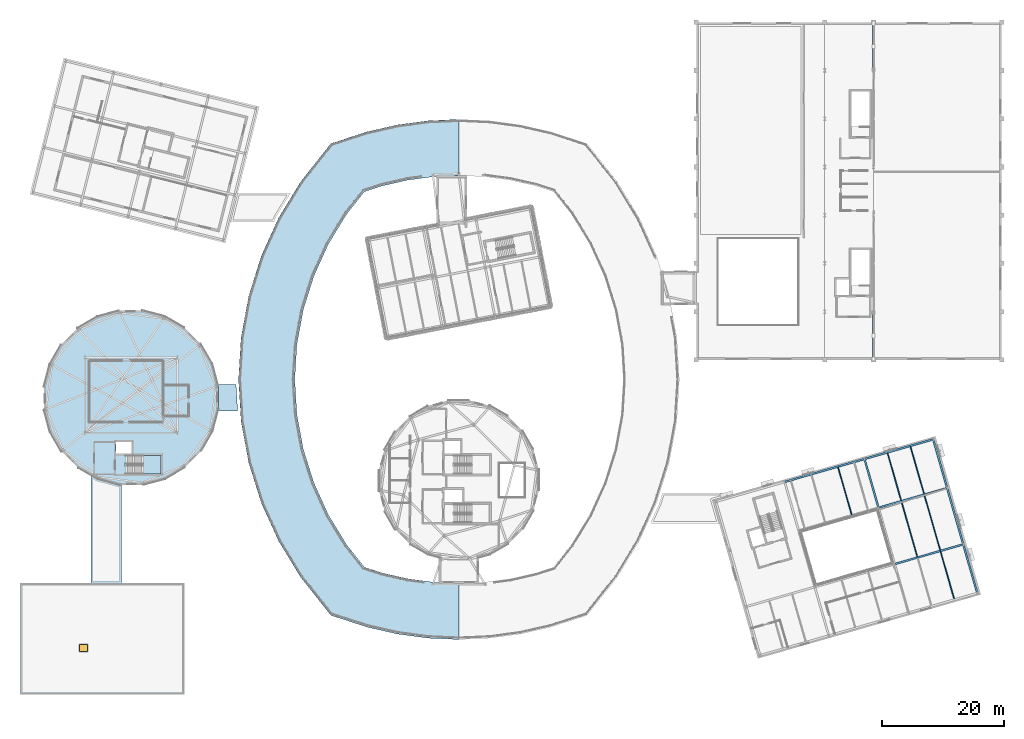
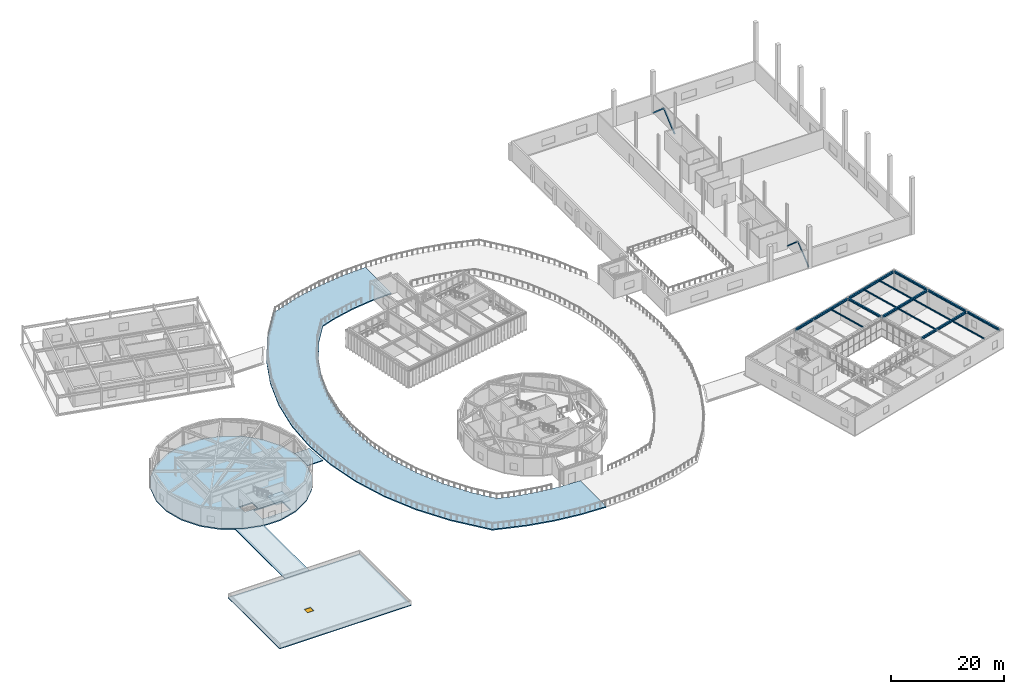
# One storey, part 26 of 59: 14 beams, 6 slabs, 4 members, 1 door, 1 opening, 1 element without a shape of its own.
"""IFC4 building model written with IfcOpenShell, lengths in metres."""

from ifc_helpers import new_model, si_unit, direction, frame, origin, origin_2d, place, context, subcontext, project, spatial, polyline, rectangle, hollow_rectangle, hollow_circle, i_section, outline, extrude, material, layer, layer_set, material_profile, profile_set, type_object, element, fill, aggregate, save


model = new_model("IFC4")

# Units and contexts
model_context = context("Model", 3, precision=1e-05, world=origin(), true_north=direction((0.0, 1.0)))
body_context = subcontext(model_context, "Body", "Model", "MODEL_VIEW")
ifc_project = project(units=[si_unit("LENGTHUNIT", "METRE"), si_unit("AREAUNIT", "SQUARE_METRE"), si_unit("VOLUMEUNIT", "CUBIC_METRE"), si_unit("PLANEANGLEUNIT", "RADIAN"), si_unit("MASSUNIT", "GRAM", prefix="KILO")], contexts=[model_context])

# Site, building, storey
site_placement = place(None, origin())
site = spatial("IfcSite", under=ifc_project, at=site_placement, CompositionType="ELEMENT")
building_placement = place(site_placement, origin())
building = spatial("IfcBuilding", under=site, at=building_placement, Name="Varnklinge Art Gallery", CompositionType="ELEMENT")
storey_placement = place(building_placement, frame((0.0, 0.0, 9.52001953125)))
storey = spatial("IfcBuildingStorey", under=building, at=storey_placement, Name="L02", CompositionType="ELEMENT", Elevation=9.52001953125)

# Beams
ifc_material_1 = material(Name="Steel S355", Category="steel")
ifc_material_profile_1 = material_profile(ifc_material_1, i_section(OverallWidth=0.300048828125, OverallDepth=0.489990234375, WebThickness=0.011962890625, FlangeThickness=0.02294921875, FilletRadius=0.027099609375, at=origin_2d()), Name="HEA 500")
ifc_profile_set_1 = profile_set([ifc_material_profile_1], Name="Steel S355")
beam_type_1 = type_object("IfcBeamType", Name="BM-07", PredefinedType="BEAM", material=ifc_profile_set_1)
for number, where, z_axis, x_axis, name in (
    (1, (146.994140625, 24.798828125, 3.675048828125), (0.961262939416, 0.275633019257, 0.0), (-0.275633019257, 0.961262939416, 0.0), "L02 BM-07 BM-V6-L03-U1-2"),
    (2, (144.34814453125, 34.027099609375, 3.675048828125), (0.961262939416, 0.275633019257, 0.0), (-0.275633019257, 0.961262939416, 0.0), "L02 BM-07 BM-V6-L03-U2-2"),
):
    element("IfcBeam", number, at=place(storey_placement, frame(where, z_axis=z_axis, x_axis=x_axis)), inside=storey, type_object=beam_type_1, Name=name, PredefinedType="BEAM", context=body_context, shape_type="SweptSolid", body=[
        extrude(i_section(OverallWidth=0.300048828125, OverallDepth=0.489990234375, WebThickness=0.011962890625, FlangeThickness=0.02294921875, FilletRadius=0.027099609375, at=origin_2d()), origin(), (0.0, 0.0, 1.0), 11.419921875),
    ])
beam_1_placement = place(storey_placement, frame((128.9873046875, 38.2568359375, 3.675048828125), z_axis=(0.961262060229, 0.275636085381, 0.0), x_axis=(-0.275636085381, 0.961262060229, 0.0)))
element("IfcBeam", 3, at=beam_1_placement, inside=storey, type_object=beam_type_1, Name="L02 BM-07 BM-V6-L03-U3-1", PredefinedType="BEAM", context=body_context, shape_type="SweptSolid", body=[
    extrude(i_section(OverallWidth=0.300048828125, OverallDepth=0.489990234375, WebThickness=0.011962890625, FlangeThickness=0.02294921875, FilletRadius=0.027099609375, at=origin_2d()), origin(), (0.0, 0.0, 1.0), 13.319580078125),
])
beam_2_placement = place(storey_placement, frame((142.060302734375, 42.005615234375, 3.675048828125), z_axis=(0.961262939416, 0.275633019257, 0.0), x_axis=(-0.275633019257, 0.961262939416, 0.0)))
element("IfcBeam", 4, at=beam_2_placement, inside=storey, type_object=beam_type_1, Name="L02 BM-07 BM-V6-L03-U3-2", PredefinedType="BEAM", context=body_context, shape_type="SweptSolid", body=[
    extrude(i_section(OverallWidth=0.300048828125, OverallDepth=0.489990234375, WebThickness=0.011962890625, FlangeThickness=0.02294921875, FilletRadius=0.027099609375, at=origin_2d()), origin(), (0.0, 0.0, 1.0), 11.419921875),
])
ifc_material_2 = material(Name="Steel S355", Category="steel")
ifc_material_profile_2 = material_profile(ifc_material_2, i_section(OverallWidth=0.300048828125, OverallDepth=0.43994140625, WebThickness=0.011474609375, FlangeThickness=0.02099609375, FilletRadius=0.027099609375, at=origin_2d()), Name="HEA 450")
ifc_profile_set_2 = profile_set([ifc_material_profile_2], Name="Steel S355")
beam_type_2 = type_object("IfcBeamType", Name="BM-08", PredefinedType="BEAM", material=ifc_profile_set_2)
beam_3_placement = place(storey_placement, frame((144.1748046875, 34.123046875, 3.699951171875), z_axis=(-0.275621630307, 0.961266205016, 0.0), x_axis=(-0.961266205016, -0.275621630307, 0.0)))
element("IfcBeam", 5, at=beam_3_placement, inside=storey, type_object=beam_type_2, Name="L02 BM-08 BM-V6-L03-V2-2", PredefinedType="BEAM", context=body_context, shape_type="SweptSolid", body=[
    extrude(i_section(OverallWidth=0.300048828125, OverallDepth=0.43994140625, WebThickness=0.011474609375, FlangeThickness=0.02099609375, FilletRadius=0.027099609375, at=origin_2d()), origin(), (0.0, 0.0, 1.0), 8.019775390625),
])
beam_4_placement = place(storey_placement, frame((160.355712890625, 20.141357421875, 3.699951171875), z_axis=(-0.275649759333, 0.961258139201, 0.0), x_axis=(-0.961258139201, -0.275649759333, 0.0)))
element("IfcBeam", 6, at=beam_4_placement, inside=storey, type_object=beam_type_2, Name="L02 BM-08 BM-V6-L03-V3-0", PredefinedType="BEAM", context=body_context, shape_type="SweptSolid", body=[
    extrude(i_section(OverallWidth=0.300048828125, OverallDepth=0.43994140625, WebThickness=0.011474609375, FlangeThickness=0.02099609375, FilletRadius=0.027099609375, at=origin_2d()), origin(), (0.0, 0.0, 1.0), 8.02001953125),
])
beam_5_placement = place(storey_placement, frame((158.06787109375, 28.119873046875, 3.699951171875), z_axis=(-0.275658609922, 0.961255601168, 0.0), x_axis=(-0.961255601168, -0.275658609922, 0.0)))
element("IfcBeam", 7, at=beam_5_placement, inside=storey, type_object=beam_type_2, Name="L02 BM-08 BM-V6-L03-V3-1", PredefinedType="BEAM", context=body_context, shape_type="SweptSolid", body=[
    extrude(i_section(OverallWidth=0.300048828125, OverallDepth=0.43994140625, WebThickness=0.011474609375, FlangeThickness=0.02099609375, FilletRadius=0.027099609375, at=origin_2d()), origin(), (0.0, 0.0, 1.0), 9.31982421875),
])
beam_6_placement = place(storey_placement, frame((155.421630859375, 37.347900390625, 3.699951171875), z_axis=(-0.275621630307, 0.961266205016, 0.0), x_axis=(-0.961266205016, -0.275621630307, 0.0)))
element("IfcBeam", 8, at=beam_6_placement, inside=storey, type_object=beam_type_2, Name="L02 BM-08 BM-V6-L03-V3-2", PredefinedType="BEAM", context=body_context, shape_type="SweptSolid", body=[
    extrude(i_section(OverallWidth=0.300048828125, OverallDepth=0.43994140625, WebThickness=0.011474609375, FlangeThickness=0.02099609375, FilletRadius=0.027099609375, at=origin_2d()), origin(), (0.0, 0.0, 1.0), 8.019775390625),
])

# Members
ifc_material_3 = material(Name="Steel S355", Category="steel")
ifc_material_profile_3 = material_profile(ifc_material_3, hollow_circle(Radius=0.136474609375, WallThickness=0.012451171875, at=origin_2d()), Name="CHS 273x12.5")
ifc_profile_set_3 = profile_set([ifc_material_profile_3], Name="Steel S355")
member_type_1 = type_object("IfcMemberType", Name="BRC-01", PredefinedType="BRACE", material=ifc_profile_set_3)
member_1_placement = place(storey_placement, frame((143.39990234375, 58.360107421875, 0.02001953125), z_axis=(0.0, 0.755141482685, 0.655561851489), x_axis=(-1.0, 0.0, 0.0)))
element("IfcMember", 9, at=member_1_placement, inside=storey, type_object=member_type_1, Name="L02 Braced Frame V1E-B0 Diagonal A", PredefinedType="BRACE", context=body_context, shape_type="SweptSolid", body=[
    extrude(hollow_circle(Radius=0.136474609375, WallThickness=0.012451171875, at=origin_2d()), origin(), (0.0, 0.0, 1.0), 5.0185546875),
])
member_2_placement = place(storey_placement, frame((143.39990234375, 65.93994140625, 0.02001953125), z_axis=(0.0, -0.75516238797, 0.655537769923), x_axis=(1.0, 0.0, 0.0)))
element("IfcMember", 10, at=member_2_placement, inside=storey, type_object=member_type_1, Name="L02 Braced Frame V1E-B0 Diagonal B", PredefinedType="BRACE", context=body_context, shape_type="SweptSolid", body=[
    extrude(hollow_circle(Radius=0.136474609375, WallThickness=0.012451171875, at=origin_2d()), origin(), (0.0, 0.0, 1.0), 5.018798828125),
])
ifc_material_4 = material(Name="Steel S355", Category="steel")
ifc_material_profile_4 = material_profile(ifc_material_4, hollow_rectangle(XDim=0.25, YDim=0.25, WallThickness=0.012451171875, at=origin_2d()), Name="SHS 250x250x12.5")
ifc_profile_set_4 = profile_set([ifc_material_profile_4], Name="Steel S355")
member_type_2 = type_object("IfcMemberType", Name="BRC-04", PredefinedType="BRACE", material=ifc_profile_set_4)
for number, where, z_axis, x_axis, name in (
    (11, (143.39990234375, 105.760009765625, 0.02001953125), (0.0, 0.75516238797, 0.655537769923), (-1.0, 0.0, 0.0), "L02 Braced Frame V1E-B6 Diagonal A"),
    (12, (143.39990234375, 113.340087890625, 0.02001953125), (0.0, -0.75516238797, 0.655537769923), (1.0, 0.0, 0.0), "L02 Braced Frame V1E-B6 Diagonal B"),
):
    element("IfcMember", number, at=place(storey_placement, frame(where, z_axis=z_axis, x_axis=x_axis)), inside=storey, type_object=member_type_2, Name=name, PredefinedType="BRACE", context=body_context, shape_type="SweptSolid", body=[
        extrude(hollow_rectangle(XDim=0.25, YDim=0.25, WallThickness=0.012451171875, at=origin_2d()), origin(), (0.0, 0.0, 1.0), 5.018798828125),
    ])

# Beams
ifc_material_5 = material(Name="Steel S355", Category="steel")
ifc_material_profile_5 = material_profile(ifc_material_5, i_section(OverallWidth=0.14990234375, OverallDepth=0.300048828125, WebThickness=0.007080078125, FlangeThickness=0.0107421875, FilletRadius=0.014892578125, at=origin_2d()), Name="IPE 300")
ifc_profile_set_5 = profile_set([ifc_material_profile_5], Name="Steel S355")
beam_type_3 = type_object("IfcBeamType", Name="JST-08", PredefinedType="JOIST", material=ifc_profile_set_5)
for number, where, z_axis, x_axis, name in (
    (13, (139.817138671875, 32.873291015625, 3.77001953125), (-0.275613565062, 0.961268517509, 0.0), (-0.961268517509, -0.275613565062, 0.0), "L02 JST-08 JST-V6-L03-1-2-2"),
    (14, (156.606689453125, 19.06640625, 3.77001953125), (-0.275649759333, 0.961258139201, 0.0), (-0.961258139201, -0.275649759333, 0.0), "L02 JST-08 JST-V6-L03-2-0-2"),
):
    element("IfcBeam", number, at=place(storey_placement, frame(where, z_axis=z_axis, x_axis=x_axis)), inside=storey, type_object=beam_type_3, Name=name, PredefinedType="JOIST", context=body_context, shape_type="SweptSolid", body=[
        extrude(i_section(OverallWidth=0.14990234375, OverallDepth=0.300048828125, WebThickness=0.007080078125, FlangeThickness=0.0107421875, FilletRadius=0.014892578125, at=origin_2d()), origin(), (0.0, 0.0, 1.0), 8.02001953125),
    ])
for number, where, z_axis, x_axis, name in (
    (15, (150.56982421875, 25.9697265625, 3.77001953125), (-0.27562746375, 0.961264532388, 0.0), (-0.961264532388, -0.27562746375, 0.0), "L02 JST-08 JST-V6-L03-2-1-1"),
    (16, (154.31884765625, 27.044921875, 3.77001953125), (-0.27562746375, 0.961264532388, 0.0), (-0.961264532388, -0.27562746375, 0.0), "L02 JST-08 JST-V6-L03-2-1-2"),
):
    element("IfcBeam", number, at=place(storey_placement, frame(where, z_axis=z_axis, x_axis=x_axis)), inside=storey, type_object=beam_type_3, Name=name, PredefinedType="JOIST", context=body_context, shape_type="SweptSolid", body=[
        extrude(i_section(OverallWidth=0.14990234375, OverallDepth=0.300048828125, WebThickness=0.007080078125, FlangeThickness=0.0107421875, FilletRadius=0.014892578125, at=origin_2d()), origin(), (0.0, 0.0, 1.0), 9.320068359375),
    ])
beam_7_placement = place(storey_placement, frame((147.923828125, 35.197998046875, 3.77001953125), z_axis=(-0.275649759333, 0.961258139201, 0.0), x_axis=(-0.961258139201, -0.275649759333, 0.0)))
element("IfcBeam", 17, at=beam_7_placement, inside=storey, type_object=beam_type_3, Name="L02 JST-08 JST-V6-L03-2-2-1", PredefinedType="JOIST", context=body_context, shape_type="SweptSolid", body=[
    extrude(i_section(OverallWidth=0.14990234375, OverallDepth=0.300048828125, WebThickness=0.007080078125, FlangeThickness=0.0107421875, FilletRadius=0.014892578125, at=origin_2d()), origin(), (0.0, 0.0, 1.0), 8.02001953125),
])
beam_8_placement = place(storey_placement, frame((151.6728515625, 36.27294921875, 3.77001953125), z_axis=(-0.2756416934, 0.961260452146, 0.0), x_axis=(-0.961260452146, -0.2756416934, 0.0)))
element("IfcBeam", 18, at=beam_8_placement, inside=storey, type_object=beam_type_3, Name="L02 JST-08 JST-V6-L03-2-2-2", PredefinedType="JOIST", context=body_context, shape_type="SweptSolid", body=[
    extrude(i_section(OverallWidth=0.14990234375, OverallDepth=0.300048828125, WebThickness=0.007080078125, FlangeThickness=0.0107421875, FilletRadius=0.014892578125, at=origin_2d()), origin(), (0.0, 0.0, 1.0), 8.020263671875),
])

# Slabs
ifc_material_6 = material(Name="Concrete C40/50", Category="concrete")
ifc_layer_1 = layer(ifc_material_6, 0.239990234375)
ifc_layer_set_1 = layer_set([ifc_layer_1], Name="Concrete C40/50")
slab_type_1 = type_object("IfcSlabType", Name="SLB-EXT24", PredefinedType="FLOOR", material=ifc_layer_set_1)
slab_1_placement = place(storey_placement, frame((0.0, 0.0, -0.239990234375)))
element("IfcSlab", 19, at=slab_1_placement, inside=storey, type_object=slab_type_1, Name="L02 Roof Sculpture Garden West Terrace", PredefinedType="FLOOR", context=body_context, shape_type="SweptSolid", body=[
    extrude(outline(polyline([(70.4384765625, 97.3779296875), (65.41748046875, 96.699462890625), (60.477294921875, 95.57470703125), (54.529296875, 93.647216796875), (49.56298828125, 87.375), (45.974609375, 81.494873046875), (43.126708984375, 75.22216796875), (41.06201171875, 68.650146484375), (39.810546875, 61.8759765625), (39.3916015625, 55.0), (39.810546875, 48.1240234375), (41.06201171875, 41.349853515625), (43.126708984375, 34.77783203125), (45.974609375, 28.505126953125), (49.56298828125, 22.625), (54.529296875, 16.352783203125), (60.477294921875, 14.42529296875), (65.41748046875, 13.300537109375), (70.4384765625, 12.6220703125), (75.5, 12.3955078125), (75.5, 21.6044921875), (71.261962890625, 21.79443359375), (67.057861328125, 22.362548828125), (62.92138671875, 23.30419921875), (60.013916015625, 24.246337890625), (57.1240234375, 27.896484375), (54.11962890625, 32.819091796875), (51.735595703125, 38.0703125), (50.0068359375, 43.572509765625), (48.95947265625, 49.24365234375), (48.6083984375, 55.0), (48.95947265625, 60.75634765625), (50.0068359375, 66.427490234375), (51.735595703125, 71.9296875), (54.11962890625, 77.180908203125), (57.1240234375, 82.103515625), (60.013916015625, 85.753662109375), (62.92138671875, 86.69580078125), (67.057861328125, 87.637451171875), (71.261962890625, 88.20556640625), (75.5, 88.3955078125), (75.5, 97.6044921875), (70.4384765625, 97.3779296875)])), origin(), (0.0, 0.0, 1.0), 0.239990234375),
])
ifc_material_7 = material(Name="Concrete C35/45", Category="concrete")
ifc_layer_2 = layer(ifc_material_7, 0.25)
ifc_layer_set_2 = layer_set([ifc_layer_2], Name="Concrete C35/45")
slab_type_2 = type_object("IfcSlabType", Name="SLB-F25", PredefinedType="FLOOR", material=ifc_layer_set_2)
slab_2_placement = place(storey_placement, frame((0.0, 0.0, -0.25)))
element("IfcSlab", 20, at=slab_2_placement, inside=storey, type_object=slab_type_2, Name="L02 Auditorium Drum Slab", PredefinedType="FLOOR", context=body_context, shape_type="SweptSolid", body=[
    extrude(outline(polyline([(36.076904296875, 50.120361328125), (36.076904296875, 53.879638671875), (35.10400390625, 57.510498046875), (33.224365234375, 60.76611328125), (30.566162109375, 63.42431640625), (27.310546875, 65.303955078125), (23.6796875, 66.27685546875), (19.92041015625, 66.27685546875), (16.289306640625, 65.303955078125), (13.03369140625, 63.42431640625), (10.375732421875, 60.76611328125), (8.49609375, 57.510498046875), (7.523193359375, 53.879638671875), (7.523193359375, 50.120361328125), (8.49609375, 46.489501953125), (10.375732421875, 43.23388671875), (13.03369140625, 40.57568359375), (16.289306640625, 38.696044921875), (19.92041015625, 37.72314453125), (23.6796875, 37.72314453125), (27.310546875, 38.696044921875), (30.566162109375, 40.57568359375), (33.224365234375, 43.23388671875), (35.10400390625, 46.489501953125), (36.076904296875, 50.120361328125)]), holes=[polyline([(20.925048828125, 42.56005859375), (26.699951171875, 42.56005859375), (26.699951171875, 39.5), (20.925048828125, 39.5), (20.925048828125, 42.56005859375)]), polyline([(21.89990234375, 44.760009765625), (21.89990234375, 42.860107421875), (19.300048828125, 42.860107421875), (19.300048828125, 44.760009765625), (21.89990234375, 44.760009765625)])]), origin(), (0.0, 0.0, 1.0), 0.25),
])

# Stair, slab
ifc_material_8 = material(Name="Concrete C40/50", Category="concrete")
stair_type = type_object("IfcStairType", Name="STR-C4160", PredefinedType="HALF_TURN_STAIR", material=ifc_material_8)
stair_placement = place(storey_placement, origin())
stair = element("IfcStair", 21, at=stair_placement, inside=storey, type_object=stair_type, Name="L02 Core C6 Stair ST-06", PredefinedType="HALF_TURN_STAIR")
ifc_material_9 = material(Name="Concrete C40/50", Category="concrete")
ifc_layer_3 = layer(ifc_material_9, 0.199951171875)
ifc_layer_set_3 = layer_set([ifc_layer_3], Name="Concrete C40/50")
slab_type_3 = type_object("IfcSlabType", Name="SLB-LND20", PredefinedType="LANDING", material=ifc_layer_set_3)
slab_3_placement = place(storey_placement, frame((0.0, 0.0, 1.8798828125)))
slab_3 = element("IfcSlab", 22, at=slab_3_placement, type_object=slab_type_3, Name="ST-06 landing 1", PredefinedType="LANDING", context=body_context, shape_type="SweptSolid", body=[
    extrude(outline(polyline([(23.77001953125, 39.5), (26.699951171875, 39.5), (26.699951171875, 42.56005859375), (23.77001953125, 42.56005859375), (23.77001953125, 39.5)])), origin(), (0.0, 0.0, 1.0), 0.2001953125),
])
aggregate(stair, [slab_3])

# Slab, opening, door
ifc_material_10 = material(Name="Concrete C35/45", Category="concrete")
ifc_layer_4 = layer(ifc_material_10, 0.199951171875)
ifc_layer_set_4 = layer_set([ifc_layer_4], Name="Concrete C35/45")
slab_type_4 = type_object("IfcSlabType", Name="SLB-ROOF20", PredefinedType="ROOF", material=ifc_layer_set_4)
slab_4_placement = place(storey_placement, frame((0.0, 0.0, -0.199951171875)))
slab_4 = element("IfcSlab", 23, at=slab_4_placement, inside=storey, type_object=slab_type_4, Name="L02 SW Cafe and Bookshop Pavilion Roof", PredefinedType="ROOF", context=body_context, shape_type="SweptSolid", body=[
    extrude(outline(polyline([(3.60009765625, 3.39990234375), (30.5, 3.39990234375), (30.5, 21.60009765625), (3.60009765625, 21.60009765625), (3.60009765625, 3.39990234375)]), holes=[polyline([(13.375, 10.425048828125), (13.375, 11.574951171875), (14.625, 11.574951171875), (14.625, 10.425048828125), (13.375, 10.425048828125)])]), origin(), (0.0, 0.0, 1.0), 0.199951171875),
])
opening_placement = place(slab_4_placement, frame((14.0, 11.0, 0.0)))
opening = element("IfcOpeningElement", 24, at=opening_placement, cuts=slab_4, Name="Opening RH-05", PredefinedType="OPENING", context=body_context, shape_type="SweptSolid", body=[
    extrude(rectangle(XDim=1.25, YDim=1.14990234375, at=origin_2d()), origin(), (0.0, 0.0, 1.0), 0.199951171875),
])
ifc_material_11 = material(Name="Anodised Aluminium", Category="aluminium")
door_type = type_object("IfcDoorType", Name="RH-T2", OperationType="SINGLE_SWING_LEFT", PredefinedType="TRAPDOOR", material=ifc_material_11)
door_placement = place(opening_placement, frame((0.0, 0.0, 0.14990234375)))
door = element("IfcDoor", 25, at=door_placement, inside=storey, type_object=door_type, Name="L02 Roof Maintenance Access Hatch RH-05", OperationType="SINGLE_SWING_LEFT", OverallHeight=1.14990234375, OverallWidth=1.25, PredefinedType="TRAPDOOR", context=body_context, shape_type="SweptSolid", body=[
    extrude(rectangle(XDim=1.25, YDim=1.14990234375, at=origin_2d()), origin(), (0.0, 0.0, 1.0), 0.050048828125),
])
fill(opening, door)

# Slabs
slab_5_placement = place(storey_placement, frame((0.0, 0.0, -0.199951171875)))
element("IfcSlab", 26, at=slab_5_placement, inside=storey, type_object=slab_type_4, Name="L02 LNK-V3 Link Roof Slab", PredefinedType="ROOF", context=body_context, shape_type="SweptSolid", body=[
    extrude(outline(polyline([(39.257568359375, 49.800048828125), (38.989501953125, 54.199951171875), (35.990966796875, 54.199951171875), (36.076904296875, 53.879638671875), (36.076904296875, 50.120361328125), (35.990966796875, 49.800048828125), (39.257568359375, 49.800048828125)])), origin(), (0.0, 0.0, 1.0), 0.199951171875),
])
slab_6_placement = place(storey_placement, frame((0.0, 0.0, -0.199951171875)))
element("IfcSlab", 27, at=slab_6_placement, inside=storey, type_object=slab_type_4, Name="L02 LNK-SW Link Roof Slab", PredefinedType="ROOF", context=body_context, shape_type="SweptSolid", body=[
    extrude(outline(polyline([(20.199951171875, 21.60009765625), (20.199951171875, 37.72314453125), (19.92041015625, 37.72314453125), (16.289306640625, 38.696044921875), (15.199951171875, 39.3251953125), (15.199951171875, 21.60009765625), (20.199951171875, 21.60009765625)])), origin(), (0.0, 0.0, 1.0), 0.199951171875),
])

save(model, "model.ifc")
